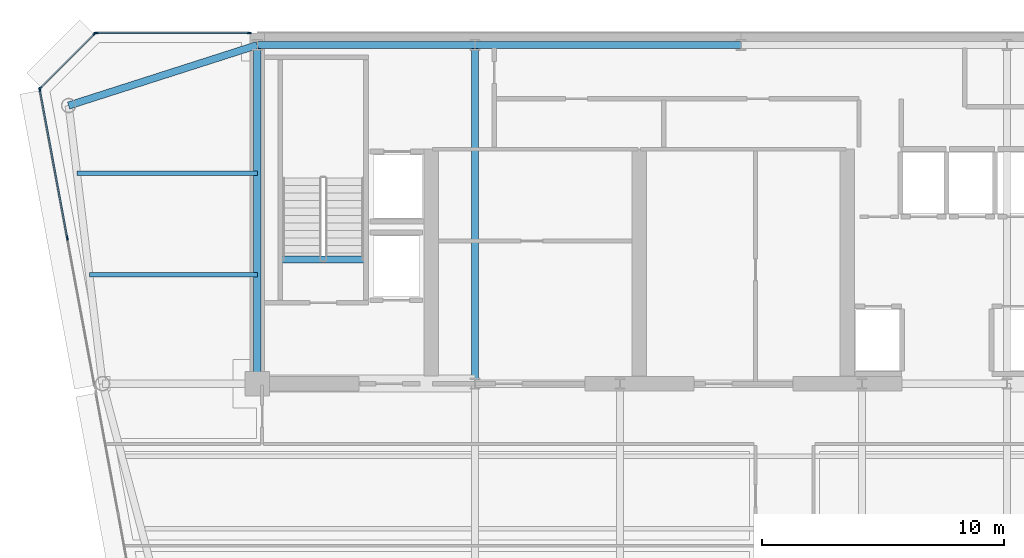
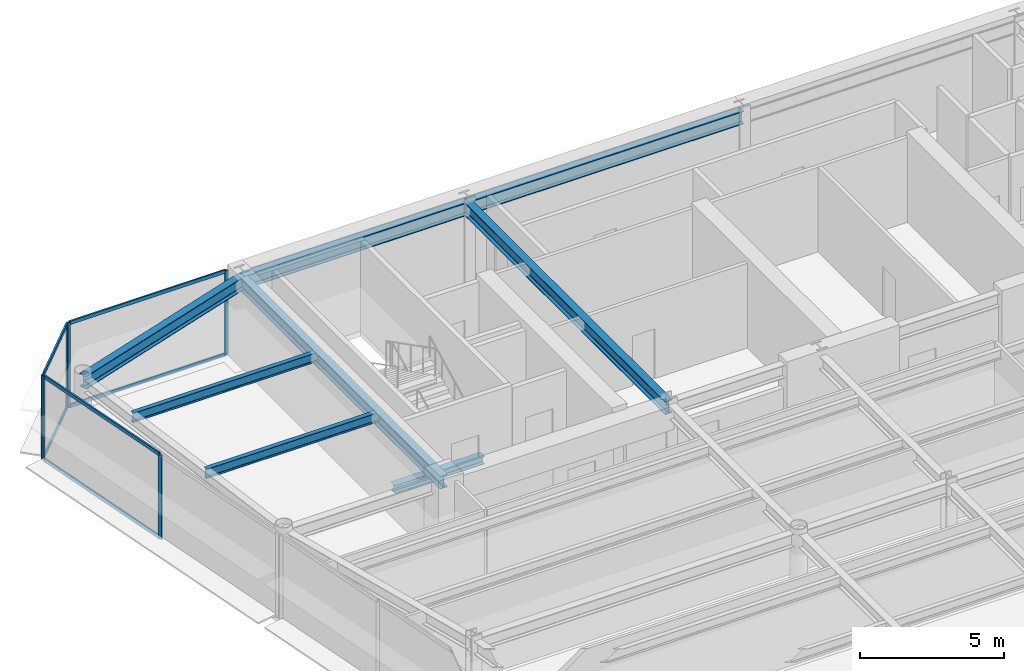
# One storey, part 8 of 17: 12 members, 8 beams, 3 elements without a shape of their own.
"""IFC4 building model written with IfcOpenShell, lengths in metres."""

from ifc_helpers import new_model, si_unit, direction, frame, origin, origin_2d, place, context, subcontext, project, spatial, rectangle, i_section, extrude, source, transform, mapped, material, layer, layer_set, material_profile, profile_set, type_object, element, aggregate, save


model = new_model("IFC4")

# Units and contexts
model_context = context("Model", 3, precision=1e-05, world=origin(), true_north=direction((0.0, 1.0)))
body_context = subcontext(model_context, "Body", "Model", "MODEL_VIEW")
ifc_project = project(units=[si_unit("LENGTHUNIT", "METRE"), si_unit("AREAUNIT", "SQUARE_METRE"), si_unit("VOLUMEUNIT", "CUBIC_METRE"), si_unit("PLANEANGLEUNIT", "RADIAN"), si_unit("MASSUNIT", "GRAM", prefix="KILO")], contexts=[model_context])

# Site, building, storey
site_placement = place(None, origin())
site = spatial("IfcSite", under=ifc_project, at=site_placement, CompositionType="ELEMENT")
building_placement = place(site_placement, origin())
building = spatial("IfcBuilding", under=site, at=building_placement, Name="Vaeldorn Concourse Tower", CompositionType="ELEMENT")
storey_placement = place(building_placement, frame((0.0, 0.0, 230.800048828125)))
storey = spatial("IfcBuildingStorey", under=building, at=storey_placement, Name="L59", CompositionType="ELEMENT", Elevation=230.800048828125)

# Beams
ifc_material_1 = material(Name="Steel S355", Category="steel")
ifc_material_profile_1 = material_profile(ifc_material_1, i_section(OverallWidth=0.300048828125, OverallDepth=0.340087890625, WebThickness=0.011962890625, FlangeThickness=0.021484375, FilletRadius=0.027099609375, at=origin_2d()), Name="HEB 340")
ifc_profile_set_1 = profile_set([ifc_material_profile_1], Name="Steel S355")
beam_type_1 = type_object("IfcBeamType", Name="BM-ST-TRIM", PredefinedType="BEAM", material=ifc_profile_set_1)
shared_shape_1 = source(origin(), body_context, "Body", "SweptSolid", [
    extrude(i_section(OverallWidth=0.300048828125, OverallDepth=0.340087890625, WebThickness=0.011962890625, FlangeThickness=0.021484375, FilletRadius=0.027099609375, at=origin_2d()), origin(), (0.0, 0.0, 1.0), 3.590087890625),
])
beam_1_placement = place(storey_placement, frame((14.929931640625, 41.639892578125, -0.39013671875), z_axis=(1.0, 0.0, 0.0), x_axis=(0.0, 1.0, 0.0)))
element("IfcBeam", 1, at=beam_1_placement, inside=storey, type_object=beam_type_1, Name="Stair Landing Trimmer Beam ST-1 L59", PredefinedType="BEAM", context=body_context, shape_type="MappedRepresentation", body=[
    mapped(shared_shape_1, transform((0.0, 0.0, 0.0), scale=1.0)),
])
ifc_material_profile_2 = material_profile(ifc_material_1, i_section(OverallWidth=0.179931640625, OverallDepth=0.39990234375, WebThickness=0.008544921875, FlangeThickness=0.013427734375, FilletRadius=0.02099609375, at=origin_2d()), Name="IPE 400")
ifc_profile_set_2 = profile_set([ifc_material_profile_2], Name="Steel S355")
beam_type_2 = type_object("IfcBeamType", Name="BM-JS-IPE400", PredefinedType="JOIST", material=ifc_profile_set_2)
shared_shape_2 = source(origin(), body_context, "Body", "SweptSolid", [
    extrude(i_section(OverallWidth=0.179931640625, OverallDepth=0.39990234375, WebThickness=0.008544921875, FlangeThickness=0.013427734375, FilletRadius=0.02099609375, at=origin_2d()), origin(), (0.0, 0.0, 1.0), 6.94775390625),
])
beam_2_placement = place(storey_placement, frame((7.05224609375, 41.0, 3.3798828125), z_axis=(1.0, 0.0, 0.0), x_axis=(0.0, 1.0, 0.0)))
element("IfcBeam", 2, at=beam_2_placement, inside=storey, type_object=beam_type_2, Name="Beam JS-L59-NW-410", PredefinedType="JOIST", context=body_context, shape_type="MappedRepresentation", body=[
    mapped(shared_shape_2, transform((0.0, 0.0, 0.0), scale=1.0)),
])
shared_shape_3 = source(origin(), body_context, "Body", "SweptSolid", [
    extrude(i_section(OverallWidth=0.179931640625, OverallDepth=0.39990234375, WebThickness=0.008544921875, FlangeThickness=0.013427734375, FilletRadius=0.02099609375, at=origin_2d()), origin(), (0.0, 0.0, 1.0), 7.458984375),
])
beam_3_placement = place(storey_placement, frame((6.541015625, 45.199951171875, 3.3798828125), z_axis=(1.0, 0.0, 0.0), x_axis=(0.0, 1.0, 0.0)))
element("IfcBeam", 3, at=beam_3_placement, inside=storey, type_object=beam_type_2, Name="Beam JS-L59-NW-452", PredefinedType="JOIST", context=body_context, shape_type="MappedRepresentation", body=[
    mapped(shared_shape_3, transform((0.0, 0.0, 0.0), scale=1.0)),
])
ifc_material_profile_3 = material_profile(ifc_material_1, i_section(OverallWidth=0.300048828125, OverallDepth=0.550048828125, WebThickness=0.014892578125, FlangeThickness=0.029052734375, FilletRadius=0.027099609375, at=origin_2d()), Name="HEB 550")
ifc_profile_set_3 = profile_set([ifc_material_profile_3], Name="Steel S355")
beam_type_3 = type_object("IfcBeamType", Name="BM-PG-HEB550", PredefinedType="BEAM", material=ifc_profile_set_3)
shared_shape_4 = source(origin(), body_context, "Body", "SweptSolid", [
    extrude(i_section(OverallWidth=0.300048828125, OverallDepth=0.550048828125, WebThickness=0.014892578125, FlangeThickness=0.029052734375, FilletRadius=0.027099609375, at=origin_2d()), origin(), (0.0, 0.0, 1.0), 9.0),
])
beam_4_placement = place(storey_placement, frame((14.0, 50.5, 3.304931640625), z_axis=(1.0, 0.0, 0.0), x_axis=(0.0, 1.0, 0.0)))
element("IfcBeam", 4, at=beam_4_placement, inside=storey, type_object=beam_type_3, Name="Beam BM-L59-C-HC1-C-HC2", PredefinedType="BEAM", context=body_context, shape_type="MappedRepresentation", body=[
    mapped(shared_shape_4, transform((0.0, 0.0, 0.0), scale=1.0)),
])
shared_shape_5 = source(origin(), body_context, "Body", "SweptSolid", [
    extrude(i_section(OverallWidth=0.300048828125, OverallDepth=0.550048828125, WebThickness=0.014892578125, FlangeThickness=0.029052734375, FilletRadius=0.027099609375, at=origin_2d()), origin(), (0.0, 0.0, 1.0), 11.0),
])
beam_5_placement = place(storey_placement, frame((23.0, 50.5, 3.304931640625), z_axis=(1.0, 0.0, 0.0), x_axis=(0.0, 1.0, 0.0)))
element("IfcBeam", 5, at=beam_5_placement, inside=storey, type_object=beam_type_3, Name="Beam BM-L59-C-HC2-C-HC3", PredefinedType="BEAM", context=body_context, shape_type="MappedRepresentation", body=[
    mapped(shared_shape_5, transform((0.0, 0.0, 0.0), scale=1.0)),
])
shared_shape_6 = source(origin(), body_context, "Body", "SweptSolid", [
    extrude(i_section(OverallWidth=0.300048828125, OverallDepth=0.550048828125, WebThickness=0.014892578125, FlangeThickness=0.029052734375, FilletRadius=0.027099609375, at=origin_2d()), origin(), (0.0, 0.0, 1.0), 14.0),
])
for number, where, z_axis, x_axis, name in (
    (6, (14.0, 36.5, 3.304931640625), (0.0, 1.0, 0.0), (-1.0, 0.0, 0.0), "Beam BM-L59-C-FC1-C-HC1"),
    (7, (23.0, 36.5, 3.304931640625), (0.0, 1.0, 0.0), (-1.0, 0.0, 0.0), "Beam BM-L59-C-FC2-C-HC2"),
):
    element("IfcBeam", number, at=place(storey_placement, frame(where, z_axis=z_axis, x_axis=x_axis)), inside=storey, type_object=beam_type_3, Name=name, PredefinedType="BEAM", context=body_context, shape_type="MappedRepresentation", body=[
        mapped(shared_shape_6, transform((0.0, 0.0, 0.0), scale=1.0)),
    ])
shared_shape_7 = source(origin(), body_context, "Body", "SweptSolid", [
    extrude(i_section(OverallWidth=0.300048828125, OverallDepth=0.550048828125, WebThickness=0.014892578125, FlangeThickness=0.029052734375, FilletRadius=0.027099609375, at=origin_2d()), origin(), (0.0, 0.0, 1.0), 8.19091796875),
])
beam_6_placement = place(storey_placement, frame((6.199951171875, 48.0, 3.304931640625), z_axis=(0.952282843383, 0.305216949396, 0.0), x_axis=(-0.305216949396, 0.952282843383, 0.0)))
element("IfcBeam", 8, at=beam_6_placement, inside=storey, type_object=beam_type_3, Name="Beam BM-L59-C-NW1-C-HC1", PredefinedType="BEAM", context=body_context, shape_type="MappedRepresentation", body=[
    mapped(shared_shape_7, transform((0.0, 0.0, 0.0), scale=1.0)),
])

# Curtain wall, members
ifc_material_2 = material(Name="Anodised Bronze Aluminium", Category="aluminium")
ifc_layer = layer(ifc_material_2, 0.179931640625)
ifc_layer_set = layer_set([ifc_layer], Name="Anodised Bronze Aluminium")
curtain_wall_type = type_object("IfcCurtainWallType", Name="CW-SYS-05", PredefinedType="NOTDEFINED", material=ifc_layer_set)
curtain_wall_1_placement = place(storey_placement, origin())
curtain_wall_1 = element("IfcCurtainWall", 9, at=curtain_wall_1_placement, inside=storey, type_object=curtain_wall_type, Name="Unitised Curtain Wall CW-L59-E09-2", PredefinedType="NOTDEFINED")
ifc_material_profile_4 = material_profile(ifc_material_2, rectangle(XDim=0.06494140625, YDim=0.169921875, at=origin_2d()), Name="CWM 65x170")
ifc_profile_set_4 = profile_set([ifc_material_profile_4], Name="Anodised Bronze Aluminium")
member_type_1 = type_object("IfcMemberType", Name="CWM-BRONZE-170", PredefinedType="MULLION", material=ifc_profile_set_4)
shared_shape_8 = source(origin(), body_context, "Body", "SweptSolid", [
    extrude(rectangle(XDim=0.06494140625, YDim=0.169921875, at=origin_2d()), origin(), (0.0, 0.0, 1.0), 3.579833984375),
])
member_1_placement = place(storey_placement, frame((13.672607421875, 51.0, 0.0), z_axis=(0.0, 0.0, 1.0), x_axis=(0.0, -1.0, 0.0)))
member_1 = element("IfcMember", 10, at=member_1_placement, type_object=member_type_1, Name="CW-05 mullion 1", PredefinedType="MULLION", context=body_context, shape_type="MappedRepresentation", body=[
    mapped(shared_shape_8, transform((0.0, 0.0, 0.0), scale=1.0)),
])
member_2_placement = place(storey_placement, frame((7.33251953125, 51.0, 0.0), z_axis=(0.0, 0.0, 1.0), x_axis=(0.0, -1.0, 0.0)))
member_2 = element("IfcMember", 11, at=member_2_placement, type_object=member_type_1, Name="CW-05 mullion 2", PredefinedType="MULLION", context=body_context, shape_type="MappedRepresentation", body=[
    mapped(shared_shape_8, transform((0.0, 0.0, 0.0), scale=1.0)),
])

curtain_wall_2_placement = place(storey_placement, origin())
curtain_wall_2 = element("IfcCurtainWall", 12, at=curtain_wall_2_placement, inside=storey, type_object=curtain_wall_type, Name="Unitised Curtain Wall CW-L59-E10-1", PredefinedType="NOTDEFINED")
member_3_placement = place(storey_placement, frame((7.277099609375, 50.97705078125, 0.0), z_axis=(0.0, 0.0, 1.0), x_axis=(0.707106781187, -0.707106781187, 0.0)))
member_3 = element("IfcMember", 13, at=member_3_placement, type_object=member_type_1, Name="CW-05 mullion 1", PredefinedType="MULLION", context=body_context, shape_type="MappedRepresentation", body=[
    mapped(shared_shape_8, transform((0.0, 0.0, 0.0), scale=1.0)),
])
member_4_placement = place(storey_placement, frame((5.02294921875, 48.722900390625, 0.0), z_axis=(0.0, 0.0, 1.0), x_axis=(0.707106781187, -0.707106781187, 0.0)))
member_4 = element("IfcMember", 14, at=member_4_placement, type_object=member_type_1, Name="CW-05 mullion 2", PredefinedType="MULLION", context=body_context, shape_type="MappedRepresentation", body=[
    mapped(shared_shape_8, transform((0.0, 0.0, 0.0), scale=1.0)),
])

curtain_wall_3_placement = place(storey_placement, origin())
curtain_wall_3 = element("IfcCurtainWall", 15, at=curtain_wall_3_placement, inside=storey, type_object=curtain_wall_type, Name="Unitised Curtain Wall CW-L59-E11-1", PredefinedType="NOTDEFINED")
member_5_placement = place(storey_placement, frame((5.005859375, 48.66796875, 0.0), z_axis=(0.0, 0.0, 1.0), x_axis=(0.983319198447, 0.181888300792, 0.0)))
member_5 = element("IfcMember", 16, at=member_5_placement, type_object=member_type_1, Name="CW-05 mullion 1", PredefinedType="MULLION", context=body_context, shape_type="MappedRepresentation", body=[
    mapped(shared_shape_8, transform((0.0, 0.0, 0.0), scale=1.0)),
])
member_6_placement = place(storey_placement, frame((6.142578125, 42.5234375, 0.0), z_axis=(0.0, 0.0, 1.0), x_axis=(0.983319198447, 0.181888300792, 0.0)))
member_6 = element("IfcMember", 17, at=member_6_placement, type_object=member_type_1, Name="CW-05 mullion 2", PredefinedType="MULLION", context=body_context, shape_type="MappedRepresentation", body=[
    mapped(shared_shape_8, transform((0.0, 0.0, 0.0), scale=1.0)),
])

# Member
ifc_material_profile_5 = material_profile(ifc_material_2, rectangle(XDim=0.06494140625, YDim=0.14990234375, at=origin_2d()), Name="CWT 65x150")
ifc_profile_set_5 = profile_set([ifc_material_profile_5], Name="Anodised Bronze Aluminium")
member_type_2 = type_object("IfcMemberType", Name="CWT-BRONZE-150", PredefinedType="USERDEFINED", material=ifc_profile_set_5)
shared_shape_9 = source(origin(), body_context, "Body", "SweptSolid", [
    extrude(rectangle(XDim=0.06494140625, YDim=0.14990234375, at=origin_2d()), origin(), (0.0, 0.0, 1.0), 3.123046875),
])
member_7_placement = place(storey_placement, frame((7.254150390625, 50.9541015625, 0.032470703125), z_axis=(-0.707106781187, -0.707106781187, 0.0), x_axis=(0.707106781187, -0.707106781187, 0.0)))
member_7 = element("IfcMember", 18, at=member_7_placement, type_object=member_type_2, Name="CW-05 transom 1.1", ObjectType="TRANSOM", PredefinedType="USERDEFINED", context=body_context, shape_type="MappedRepresentation", body=[
    mapped(shared_shape_9, transform((0.0, 0.0, 0.0), scale=1.0)),
])

member_8_placement = place(storey_placement, frame((7.254150390625, 50.9541015625, 3.54736328125), z_axis=(-0.707106781187, -0.707106781187, 0.0), x_axis=(0.707106781187, -0.707106781187, 0.0)))
member_8 = element("IfcMember", 19, at=member_8_placement, type_object=member_type_2, Name="CW-05 transom 1.2", ObjectType="TRANSOM", PredefinedType="USERDEFINED", context=body_context, shape_type="MappedRepresentation", body=[
    mapped(shared_shape_9, transform((0.0, 0.0, 0.0), scale=1.0)),
])

aggregate(curtain_wall_2, [member_3, member_4, member_7, member_8])

shared_shape_10 = source(origin(), body_context, "Body", "SweptSolid", [
    extrude(rectangle(XDim=0.06494140625, YDim=0.14990234375, at=origin_2d()), origin(), (0.0, 0.0, 1.0), 6.27490234375),
])
member_9_placement = place(storey_placement, frame((13.639892578125, 51.0, 0.032470703125), z_axis=(-1.0, 0.0, 0.0), x_axis=(0.0, -1.0, 0.0)))
member_9 = element("IfcMember", 20, at=member_9_placement, type_object=member_type_2, Name="CW-05 transom 1.1", ObjectType="TRANSOM", PredefinedType="USERDEFINED", context=body_context, shape_type="MappedRepresentation", body=[
    mapped(shared_shape_10, transform((0.0, 0.0, 0.0), scale=1.0)),
])

member_10_placement = place(storey_placement, frame((13.639892578125, 51.0, 3.54736328125), z_axis=(-1.0, 0.0, 0.0), x_axis=(0.0, -1.0, 0.0)))
member_10 = element("IfcMember", 21, at=member_10_placement, type_object=member_type_2, Name="CW-05 transom 1.2", ObjectType="TRANSOM", PredefinedType="USERDEFINED", context=body_context, shape_type="MappedRepresentation", body=[
    mapped(shared_shape_10, transform((0.0, 0.0, 0.0), scale=1.0)),
])

aggregate(curtain_wall_1, [member_1, member_2, member_9, member_10])

shared_shape_11 = source(origin(), body_context, "Body", "SweptSolid", [
    extrude(rectangle(XDim=0.06494140625, YDim=0.14990234375, at=origin_2d()), origin(), (0.0, 0.0, 1.0), 6.183837890625),
])
member_11_placement = place(storey_placement, frame((5.01171875, 48.635986328125, 0.032470703125), z_axis=(0.181889913007, -0.983318900228, 0.0), x_axis=(0.983318900228, 0.181889913007, 0.0)))
member_11 = element("IfcMember", 22, at=member_11_placement, type_object=member_type_2, Name="CW-05 transom 1.1", ObjectType="TRANSOM", PredefinedType="USERDEFINED", context=body_context, shape_type="MappedRepresentation", body=[
    mapped(shared_shape_11, transform((0.0, 0.0, 0.0), scale=1.0)),
])

member_12_placement = place(storey_placement, frame((5.01171875, 48.635986328125, 3.54736328125), z_axis=(0.181889913007, -0.983318900228, 0.0), x_axis=(0.983318900228, 0.181889913007, 0.0)))
member_12 = element("IfcMember", 23, at=member_12_placement, type_object=member_type_2, Name="CW-05 transom 1.2", ObjectType="TRANSOM", PredefinedType="USERDEFINED", context=body_context, shape_type="MappedRepresentation", body=[
    mapped(shared_shape_11, transform((0.0, 0.0, 0.0), scale=1.0)),
])

aggregate(curtain_wall_3, [member_5, member_6, member_11, member_12])

save(model, "model.ifc")
